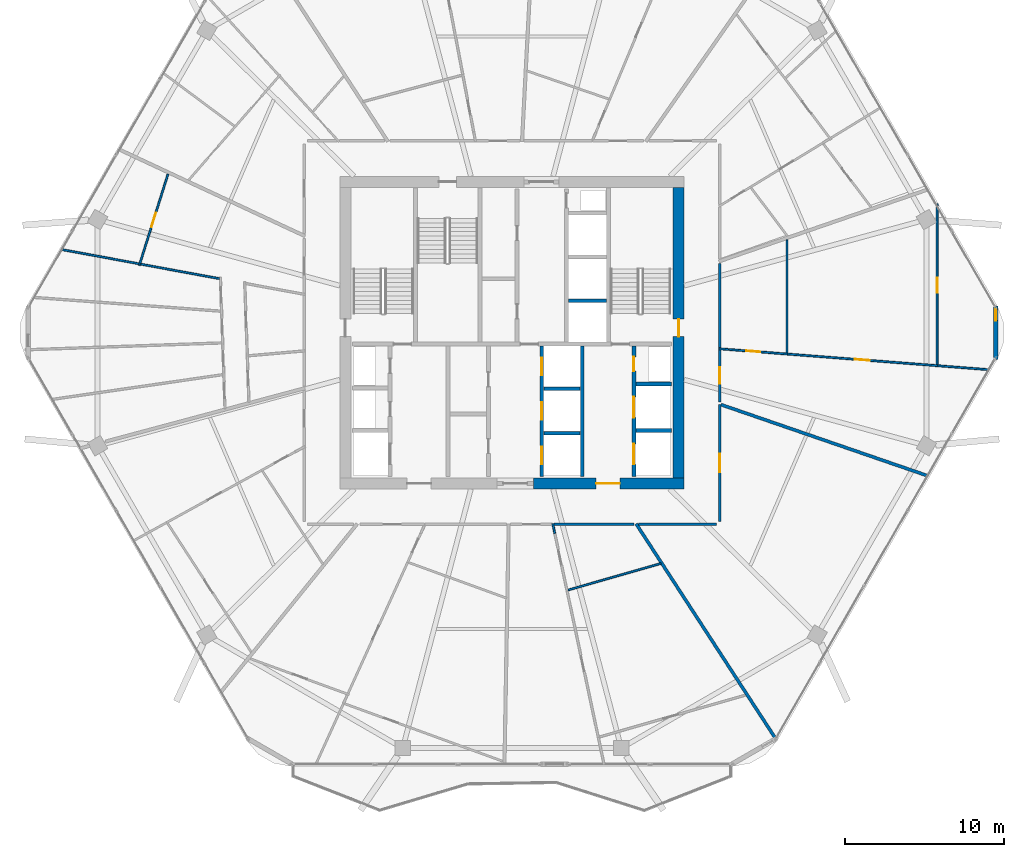
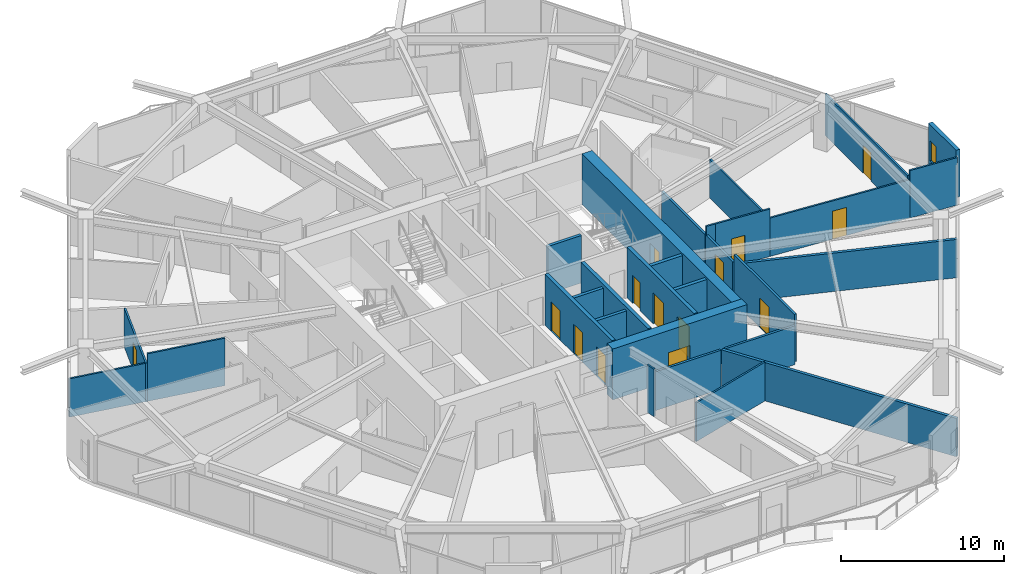
# One storey, part 21 of 27: 29 walls, 14 doors, 1 window, 15 openings.
"""IFC4 building model written with IfcOpenShell, lengths in metres."""

from ifc_helpers import new_model, si_unit, direction, frame, frame_2d, origin, place, context, subcontext, project, spatial, rectangle, extrude, material, layer, layer_set, type_object, element, fill, save


model = new_model("IFC4")

# Units and contexts
model_context = context("Model", 3, precision=1e-05, world=origin(), true_north=direction((0.0, 1.0)))
body_context = subcontext(model_context, "Body", "Model", "MODEL_VIEW")
ifc_project = project(units=[si_unit("LENGTHUNIT", "METRE"), si_unit("AREAUNIT", "SQUARE_METRE"), si_unit("VOLUMEUNIT", "CUBIC_METRE"), si_unit("PLANEANGLEUNIT", "RADIAN"), si_unit("MASSUNIT", "GRAM", prefix="KILO")], contexts=[model_context])

# Site, building, storey
site_placement = place(None, origin())
site = spatial("IfcSite", under=ifc_project, at=site_placement, CompositionType="ELEMENT")
building_placement = place(site_placement, origin())
building = spatial("IfcBuilding", under=site, at=building_placement, Name="Zuhravey Tower", CompositionType="ELEMENT")
storey_placement = place(building_placement, frame((0.0, 0.0, 218.800048828125)))
storey = spatial("IfcBuildingStorey", under=building, at=storey_placement, Name="L55", CompositionType="ELEMENT", Elevation=218.800048828125)

# Wall, opening, door
ifc_material_1 = material(Name="Concrete C60/75", Category="concrete")
ifc_layer_1 = layer(ifc_material_1, 0.699951171875)
ifc_layer_set_1 = layer_set([ifc_layer_1], Name="Concrete C60/75")
wall_type_1 = type_object("IfcWallType", Name="Core Shear Wall 700", PredefinedType="SHEAR", material=ifc_layer_set_1)
wall_1_placement = place(storey_placement, frame((37.35009765625, 22.5, 0.0), z_axis=(0.0, 0.0, 1.0), x_axis=(1.0, 0.0, 0.0)))
wall_1 = element("IfcWall", 1, at=wall_1_placement, inside=storey, type_object=wall_type_1, Name="L55 South-East Core Shear Wall CW70", PredefinedType="SHEAR", context=body_context, shape_type="SweptSolid", body=[
    extrude(rectangle(XDim=9.5, YDim=0.699951171875, at=frame_2d((4.75, 0.0))), origin(), (0.0, 0.0, 1.0), 3.800048828125),
])
opening_1_placement = place(wall_1_placement, frame((3.949951171875, 0.0, 0.0)))
opening_1 = element("IfcOpeningElement", 2, at=opening_1_placement, cuts=wall_1, Name="Opening FFD1", PredefinedType="OPENING", context=body_context, shape_type="SweptSolid", body=[
    extrude(rectangle(XDim=1.5, YDim=2.14990234375, at=frame_2d((0.75, 1.074951171875))), frame((0.0, 0.362060546875, 0.0), z_axis=(0.0, -1.0, 0.0), x_axis=(1.0, 0.0, 0.0)), (0.0, 0.0, 1.0), 0.723876953125),
])
ifc_material_2 = material(Name="Galvanised fire-rated steel leaf", Category="steel")
door_type_1 = type_object("IfcDoorType", Name="Firefighting Lobby Double Door 1500x2150", OperationType="DOUBLE_DOOR_SINGLE_SWING", PredefinedType="DOOR", material=ifc_material_2)
door_1_placement = place(opening_1_placement, origin())
door_1 = element("IfcDoor", 3, at=door_1_placement, inside=storey, type_object=door_type_1, Name="L55 Firefighting Lobby East Door", OperationType="DOUBLE_DOOR_SINGLE_SWING", OverallHeight=2.14990234375, OverallWidth=1.5, PredefinedType="DOOR", context=body_context, shape_type="SweptSolid", body=[
    extrude(rectangle(XDim=1.5, YDim=2.14990234375, at=frame_2d((0.75, 1.074951171875))), frame((0.0, 0.02490234375, 0.0), z_axis=(0.0, -1.0, 0.0), x_axis=(1.0, 0.0, 0.0)), (0.0, 0.0, 1.0), 0.050048828125),
])
fill(opening_1, door_1)

wall_2_placement = place(storey_placement, frame((46.5, 22.85009765625, 0.0), z_axis=(0.0, 0.0, 1.0), x_axis=(0.0, 1.0, 0.0)))
wall_2 = element("IfcWall", 4, at=wall_2_placement, inside=storey, type_object=wall_type_1, Name="L55 East Core Shear Wall CW70", PredefinedType="SHEAR", context=body_context, shape_type="SweptSolid", body=[
    extrude(rectangle(XDim=18.2998046875, YDim=0.699951171875, at=frame_2d((9.14990234375, 0.0))), origin(), (0.0, 0.0, 1.0), 3.800048828125),
])
opening_2_placement = place(wall_2_placement, frame((8.89990234375, 0.0, 0.0)))
opening_2 = element("IfcOpeningElement", 5, at=opening_2_placement, cuts=wall_2, Name="Opening STD1", PredefinedType="OPENING", context=body_context, shape_type="SweptSolid", body=[
    extrude(rectangle(XDim=1.10009765625, YDim=2.14990234375, at=frame_2d((0.550048828125, 1.074951171875))), frame((0.0, 0.362060546875, 0.0), z_axis=(0.0, -1.0, 0.0), x_axis=(1.0, 0.0, 0.0)), (0.0, 0.0, 1.0), 0.723876953125),
])
door_type_2 = type_object("IfcDoorType", Name="Protected Stair Fire Door 1100x2150", OperationType="NOTDEFINED", PredefinedType="USERDEFINED", material=ifc_material_2)
door_2_placement = place(opening_2_placement, origin())
door_2 = element("IfcDoor", 6, at=door_2_placement, inside=storey, type_object=door_type_2, Name="L55 Stair ST2 Door", ObjectType="EXITDOOR", OperationType="SINGLE_SWING_RIGHT", OverallHeight=2.14990234375, OverallWidth=1.10009765625, PredefinedType="USERDEFINED", context=body_context, shape_type="SweptSolid", body=[
    extrude(rectangle(XDim=1.10009765625, YDim=2.14990234375, at=frame_2d((0.550048828125, 1.074951171875))), frame((0.0, 0.02490234375, 0.0), z_axis=(0.0, -1.0, 0.0), x_axis=(1.0, 0.0, 0.0)), (0.0, 0.0, 1.0), 0.050048828125),
])
fill(opening_2, door_2)

ifc_material_3 = material(Name="Gypsum fire-rated stud partition")
ifc_layer_2 = layer(ifc_material_3, 0.159912109375)
ifc_layer_set_2 = layer_set([ifc_layer_2], Name="Gypsum fire-rated stud partition")
wall_type_2 = type_object("IfcWallType", Name="Corridor Fire Partition 160", PredefinedType="PARTITIONING", material=ifc_layer_set_2)
wall_3_placement = place(storey_placement, frame((49.080078125, 20.10009765625, 0.0), z_axis=(0.0, 0.0, 1.0), x_axis=(0.0, 1.0, 0.0)))
wall_3 = element("IfcWall", 7, at=wall_3_placement, inside=storey, type_object=wall_type_2, Name="L55 IW16 Partition 058", PredefinedType="PARTITIONING", context=body_context, shape_type="SweptSolid", body=[
    extrude(rectangle(XDim=7.375, YDim=0.159912109375, at=frame_2d((3.6875, 0.0))), origin(), (0.0, 0.0, 1.0), 3.550048828125),
])
opening_3_placement = place(wall_3_placement, frame((3.112548828125, 0.0, 0.0)))
opening_3 = element("IfcOpeningElement", 8, at=opening_3_placement, cuts=wall_3, Name="Opening CLD1", PredefinedType="OPENING", context=body_context, shape_type="SweptSolid", body=[
    extrude(rectangle(XDim=1.14990234375, YDim=2.199951171875, at=frame_2d((0.574951171875, 1.10009765625))), frame((0.0, 0.092041015625, 0.0), z_axis=(0.0, -1.0, 0.0), x_axis=(1.0, 0.0, 0.0)), (0.0, 0.0, 1.0), 0.183837890625),
])
ifc_material_4 = material(Name="Acoustic timber leaf with vision lite", Category="wood")
door_type_3 = type_object("IfcDoorType", Name="Classroom Acoustic Door 1150x2200", OperationType="NOTDEFINED", PredefinedType="DOOR", material=ifc_material_4)
door_3_placement = place(opening_3_placement, frame((1.14990234375, 0.0, 0.0), z_axis=(0.0, 0.0, 1.0), x_axis=(-1.0, 0.0, 0.0)))
door_3 = element("IfcDoor", 9, at=door_3_placement, inside=storey, type_object=door_type_3, Name="L55 Door 058.1", OperationType="SINGLE_SWING_RIGHT", OverallHeight=2.199951171875, OverallWidth=1.14990234375, PredefinedType="DOOR", context=body_context, shape_type="SweptSolid", body=[
    extrude(rectangle(XDim=1.14990234375, YDim=2.199951171875, at=frame_2d((0.574951171875, 1.10009765625))), frame((0.0, 0.02490234375, 0.0), z_axis=(0.0, -1.0, 0.0), x_axis=(1.0, 0.0, 0.0)), (0.0, 0.0, 1.0), 0.050048828125),
])
fill(opening_3, door_3)

wall_4_placement = place(storey_placement, frame((49.080078125, 27.64453125, 0.0), z_axis=(0.0, 0.0, 1.0), x_axis=(0.0, 1.0, 0.0)))
wall_4 = element("IfcWall", 10, at=wall_4_placement, inside=storey, type_object=wall_type_2, Name="L55 IW16 Partition 062", PredefinedType="PARTITIONING", context=body_context, shape_type="SweptSolid", body=[
    extrude(rectangle(XDim=3.31982421875, YDim=0.159912109375, at=frame_2d((1.659912109375, 0.0))), origin(), (0.0, 0.0, 1.0), 2.89990234375),
])
opening_4_placement = place(wall_4_placement, frame((1.135009765625, 0.0, 0.0)))
opening_4 = element("IfcOpeningElement", 11, at=opening_4_placement, cuts=wall_4, Name="Opening APD1", PredefinedType="OPENING", context=body_context, shape_type="SweptSolid", body=[
    extrude(rectangle(XDim=1.050048828125, YDim=2.14990234375, at=frame_2d((0.52490234375, 1.074951171875))), frame((0.0, 0.092041015625, 0.0), z_axis=(0.0, -1.0, 0.0), x_axis=(1.0, 0.0, 0.0)), (0.0, 0.0, 1.0), 0.183837890625),
])
ifc_material_5 = material(Name="Solid-core oak fire-rated leaf")
door_type_4 = type_object("IfcDoorType", Name="Apartment Entrance Fire Door 1050x2150", OperationType="NOTDEFINED", PredefinedType="DOOR", material=ifc_material_5)
door_4_placement = place(opening_4_placement, frame((1.050048828125, 0.0, 0.0), z_axis=(0.0, 0.0, 1.0), x_axis=(-1.0, 0.0, 0.0)))
door_4 = element("IfcDoor", 12, at=door_4_placement, inside=storey, type_object=door_type_4, Name="L55 Door 062.1", OperationType="SINGLE_SWING_RIGHT", OverallHeight=2.14990234375, OverallWidth=1.050048828125, PredefinedType="DOOR", context=body_context, shape_type="SweptSolid", body=[
    extrude(rectangle(XDim=1.050048828125, YDim=2.14990234375, at=frame_2d((0.52490234375, 1.074951171875))), frame((0.0, 0.02490234375, 0.0), z_axis=(0.0, -1.0, 0.0), x_axis=(1.0, 0.0, 0.0)), (0.0, 0.0, 1.0), 0.050048828125),
])
fill(opening_4, door_4)

# Walls
wall_5_placement = place(storey_placement, frame((38.64599609375, 19.919921875, 0.0), z_axis=(0.0, 0.0, 1.0), x_axis=(1.0, 0.0, 0.0)))
element("IfcWall", 13, at=wall_5_placement, inside=storey, type_object=wall_type_2, Name="L55 IW16 Partition 124", PredefinedType="PARTITIONING", context=body_context, shape_type="SweptSolid", body=[
    extrude(rectangle(XDim=5.026123046875, YDim=0.159912109375, at=frame_2d((2.51318359375, 0.0))), origin(), (0.0, 0.0, 1.0), 2.89990234375),
])
wall_6_placement = place(storey_placement, frame((43.9736328125, 19.919921875, 0.0), z_axis=(0.0, 0.0, 1.0), x_axis=(1.0, 0.0, 0.0)))
element("IfcWall", 14, at=wall_6_placement, inside=storey, type_object=wall_type_2, Name="L55 IW16 Partition 125", PredefinedType="PARTITIONING", context=body_context, shape_type="SweptSolid", body=[
    extrude(rectangle(XDim=4.92626953125, YDim=0.159912109375, at=frame_2d((2.463134765625, 0.0))), origin(), (0.0, 0.0, 1.0), 2.89990234375),
])
wall_7_placement = place(storey_placement, frame((49.080078125, 31.052490234375, 0.0), z_axis=(0.0, 0.0, 1.0), x_axis=(0.0, 1.0, 0.0)))
element("IfcWall", 15, at=wall_7_placement, inside=storey, type_object=wall_type_2, Name="L55 IW16 Partition 126", PredefinedType="PARTITIONING", context=body_context, shape_type="SweptSolid", body=[
    extrude(rectangle(XDim=5.302978515625, YDim=0.159912109375, at=frame_2d((2.6513671875, 0.0))), origin(), (0.0, 0.0, 1.0), 2.89990234375),
])

# Wall, opening, window
ifc_material_6 = material(Name="Precast concrete C40/50", Category="concrete")
ifc_layer_3 = layer(ifc_material_6, 0.280029296875)
ifc_layer_set_3 = layer_set([ifc_layer_3], Name="Precast concrete C40/50")
wall_type_3 = type_object("IfcWallType", Name="Crown Architectural Wall 280", PredefinedType="SOLIDWALL", material=ifc_layer_set_3)
wall_8_placement = place(storey_placement, frame((66.4716796875, 33.6826171875, 0.0), z_axis=(0.0, 0.0, 1.0), x_axis=(0.0, -1.0, 0.0)))
wall_8 = element("IfcWall", 16, at=wall_8_placement, inside=storey, type_object=wall_type_3, Name="L55 Rounded Corner Closure Wall EW28-12", PredefinedType="SOLIDWALL", context=body_context, shape_type="SweptSolid", body=[
    extrude(rectangle(XDim=3.365234375, YDim=0.280029296875, at=frame_2d((1.6826171875, 0.0))), origin(), (0.0, 0.0, 1.0), 3.550048828125),
])
opening_5_placement = place(wall_8_placement, frame((0.17919921875, 0.0, 0.85009765625)))
opening_5 = element("IfcOpeningElement", 17, at=opening_5_placement, cuts=wall_8, Name="Opening WN5", PredefinedType="OPENING", context=body_context, shape_type="SweptSolid", body=[
    extrude(rectangle(XDim=0.75, YDim=1.5, at=frame_2d((0.375, 0.75))), frame((0.0, 0.152099609375, 0.0), z_axis=(0.0, -1.0, 0.0), x_axis=(1.0, 0.0, 0.0)), (0.0, 0.0, 1.0), 0.303955078125),
])
ifc_material_7 = material(Name="Thermally broken aluminium and triple low-E glass", Category="aluminium")
window_type = type_object("IfcWindowType", Name="Residential Corner Casement Window 750x1500", PartitioningType="SINGLE_PANEL", PredefinedType="WINDOW", material=ifc_material_7)
window_placement = place(opening_5_placement, origin())
window = element("IfcWindow", 18, at=window_placement, inside=storey, type_object=window_type, Name="L55 Corner Casement Window WN5-12.1", OverallHeight=1.5, OverallWidth=0.75, PartitioningType="SINGLE_PANEL", PredefinedType="WINDOW", context=body_context, shape_type="SweptSolid", body=[
    extrude(rectangle(XDim=0.75, YDim=1.5, at=frame_2d((0.375, 0.75))), frame((0.0, 0.030029296875, 0.0), z_axis=(0.0, -1.0, 0.0), x_axis=(1.0, 0.0, 0.0)), (0.0, 0.0, 1.0), 0.06005859375),
])
fill(opening_5, window)

# Wall, openings, doors
ifc_material_8 = material(Name="Concrete C50/60", Category="concrete")
ifc_layer_4 = layer(ifc_material_8, 0.25)
ifc_layer_set_4 = layer_set([ifc_layer_4], Name="Concrete C50/60")
wall_type_4 = type_object("IfcWallType", Name="Firefighting Shaft & Stair Wall 250", PredefinedType="SOLIDWALL", material=ifc_layer_set_4)
wall_9_placement = place(storey_placement, frame((37.875, 22.949951171875, 0.0), z_axis=(0.0, 0.0, 1.0), x_axis=(0.0, 1.0, 0.0)))
wall_9 = element("IfcWall", 19, at=wall_9_placement, inside=storey, type_object=wall_type_4, Name="L55 FW25 Shaft Wall 015", PredefinedType="SOLIDWALL", context=body_context, shape_type="SweptSolid", body=[
    extrude(rectangle(XDim=8.199951171875, YDim=0.25, at=frame_2d((4.10009765625, 0.0))), origin(), (0.0, 0.0, 1.0), 3.800048828125),
])
opening_6_placement = place(wall_9_placement, frame((0.77490234375, 0.0, 0.0)))
opening_6 = element("IfcOpeningElement", 20, at=opening_6_placement, cuts=wall_9, Name="Opening LD1", PredefinedType="OPENING", context=body_context, shape_type="SweptSolid", body=[
    extrude(rectangle(XDim=1.10009765625, YDim=2.199951171875, at=frame_2d((0.550048828125, 1.10009765625))), frame((0.0, 0.136962890625, 0.0), z_axis=(0.0, -1.0, 0.0), x_axis=(1.0, 0.0, 0.0)), (0.0, 0.0, 1.0), 0.27392578125),
])
opening_7_placement = place(wall_9_placement, frame((3.574951171875, 0.0, 0.0)))
opening_7 = element("IfcOpeningElement", 21, at=opening_7_placement, cuts=wall_9, Name="Opening LD1", PredefinedType="OPENING", context=body_context, shape_type="SweptSolid", body=[
    extrude(rectangle(XDim=1.10009765625, YDim=2.199951171875, at=frame_2d((0.550048828125, 1.10009765625))), frame((0.0, 0.136962890625, 0.0), z_axis=(0.0, -1.0, 0.0), x_axis=(1.0, 0.0, 0.0)), (0.0, 0.0, 1.0), 0.27392578125),
])
opening_8_placement = place(wall_9_placement, frame((6.375, 0.0, 0.0)))
opening_8 = element("IfcOpeningElement", 22, at=opening_8_placement, cuts=wall_9, Name="Opening LD1", PredefinedType="OPENING", context=body_context, shape_type="SweptSolid", body=[
    extrude(rectangle(XDim=1.10009765625, YDim=2.199951171875, at=frame_2d((0.550048828125, 1.10009765625))), frame((0.0, 0.136962890625, 0.0), z_axis=(0.0, -1.0, 0.0), x_axis=(1.0, 0.0, 0.0)), (0.0, 0.0, 1.0), 0.27392578125),
])
ifc_material_9 = material(Name="Brushed stainless steel", Category="steel")
door_type_5 = type_object("IfcDoorType", Name="Lift Landing Sliding Door 1100x2200", OperationType="DOUBLE_DOOR_SLIDING", PredefinedType="DOOR", material=ifc_material_9)
door_5_placement = place(opening_6_placement, origin())
door_5 = element("IfcDoor", 23, at=door_5_placement, inside=storey, type_object=door_type_5, Name="L55 Lift PL4 Landing Door", OperationType="DOUBLE_DOOR_SLIDING", OverallHeight=2.199951171875, OverallWidth=1.10009765625, PredefinedType="DOOR", context=body_context, shape_type="SweptSolid", body=[
    extrude(rectangle(XDim=1.10009765625, YDim=2.199951171875, at=frame_2d((0.550048828125, 1.10009765625))), frame((0.0, 0.02490234375, 0.0), z_axis=(0.0, -1.0, 0.0), x_axis=(1.0, 0.0, 0.0)), (0.0, 0.0, 1.0), 0.050048828125),
])
fill(opening_6, door_5)
door_6_placement = place(opening_7_placement, origin())
door_6 = element("IfcDoor", 24, at=door_6_placement, inside=storey, type_object=door_type_5, Name="L55 Lift PL5 Landing Door", OperationType="DOUBLE_DOOR_SLIDING", OverallHeight=2.199951171875, OverallWidth=1.10009765625, PredefinedType="DOOR", context=body_context, shape_type="SweptSolid", body=[
    extrude(rectangle(XDim=1.10009765625, YDim=2.199951171875, at=frame_2d((0.550048828125, 1.10009765625))), frame((0.0, 0.02490234375, 0.0), z_axis=(0.0, -1.0, 0.0), x_axis=(1.0, 0.0, 0.0)), (0.0, 0.0, 1.0), 0.050048828125),
])
fill(opening_7, door_6)
door_7_placement = place(opening_8_placement, origin())
door_7 = element("IfcDoor", 25, at=door_7_placement, inside=storey, type_object=door_type_5, Name="L55 Lift PL6 Landing Door", OperationType="DOUBLE_DOOR_SLIDING", OverallHeight=2.199951171875, OverallWidth=1.10009765625, PredefinedType="DOOR", context=body_context, shape_type="SweptSolid", body=[
    extrude(rectangle(XDim=1.10009765625, YDim=2.199951171875, at=frame_2d((0.550048828125, 1.10009765625))), frame((0.0, 0.02490234375, 0.0), z_axis=(0.0, -1.0, 0.0), x_axis=(1.0, 0.0, 0.0)), (0.0, 0.0, 1.0), 0.050048828125),
])
fill(opening_8, door_7)

# Walls
wall_10_placement = place(storey_placement, frame((40.425048828125, 22.949951171875, 0.0), z_axis=(0.0, 0.0, 1.0), x_axis=(0.0, 1.0, 0.0)))
element("IfcWall", 26, at=wall_10_placement, inside=storey, type_object=wall_type_4, Name="L55 FW25 Shaft Wall 016", PredefinedType="SOLIDWALL", context=body_context, shape_type="SweptSolid", body=[
    extrude(rectangle(XDim=8.199951171875, YDim=0.25, at=frame_2d((4.10009765625, 0.0))), origin(), (0.0, 0.0, 1.0), 3.800048828125),
])
for number, where, z_axis, x_axis, name in (
    (27, (43.800048828125, 25.824951171875, 0.0), (0.0, 0.0, 1.0), (1.0, 0.0, 0.0), "L55 FW25 Shaft Wall 017"),
    (28, (43.800048828125, 28.77490234375, 0.0), (0.0, 0.0, 1.0), (1.0, 0.0, 0.0), "L55 FW25 Shaft Wall 018"),
):
    element("IfcWall", number, at=place(storey_placement, frame(where, z_axis=z_axis, x_axis=x_axis)), inside=storey, type_object=wall_type_4, Name=name, PredefinedType="SOLIDWALL", context=body_context, shape_type="SweptSolid", body=[
        extrude(rectangle(XDim=2.25, YDim=0.25, at=frame_2d((1.125, 0.0))), origin(), (0.0, 0.0, 1.0), 3.800048828125),
    ])

# Wall, openings, doors
wall_11_placement = place(storey_placement, frame((43.675048828125, 22.949951171875, 0.0), z_axis=(0.0, 0.0, 1.0), x_axis=(0.0, 1.0, 0.0)))
wall_11 = element("IfcWall", 29, at=wall_11_placement, inside=storey, type_object=wall_type_4, Name="L55 FW25 Shaft Wall 019", PredefinedType="SOLIDWALL", context=body_context, shape_type="SweptSolid", body=[
    extrude(rectangle(XDim=8.199951171875, YDim=0.25, at=frame_2d((4.10009765625, 0.0))), origin(), (0.0, 0.0, 1.0), 3.800048828125),
])
opening_9_placement = place(wall_11_placement, frame((0.75, 0.0, 0.0)))
opening_9 = element("IfcOpeningElement", 30, at=opening_9_placement, cuts=wall_11, Name="Opening LD2", PredefinedType="OPENING", context=body_context, shape_type="SweptSolid", body=[
    extrude(rectangle(XDim=1.300048828125, YDim=2.300048828125, at=frame_2d((0.64990234375, 1.14990234375))), frame((0.0, 0.136962890625, 0.0), z_axis=(0.0, -1.0, 0.0), x_axis=(1.0, 0.0, 0.0)), (0.0, 0.0, 1.0), 0.27392578125),
])
opening_10_placement = place(wall_11_placement, frame((3.699951171875, 0.0, 0.0)))
opening_10 = element("IfcOpeningElement", 31, at=opening_10_placement, cuts=wall_11, Name="Opening LD2", PredefinedType="OPENING", context=body_context, shape_type="SweptSolid", body=[
    extrude(rectangle(XDim=1.300048828125, YDim=2.300048828125, at=frame_2d((0.64990234375, 1.14990234375))), frame((0.0, 0.136962890625, 0.0), z_axis=(0.0, -1.0, 0.0), x_axis=(1.0, 0.0, 0.0)), (0.0, 0.0, 1.0), 0.27392578125),
])
opening_11_placement = place(wall_11_placement, frame((6.6201171875, 0.0, 0.0)))
opening_11 = element("IfcOpeningElement", 32, at=opening_11_placement, cuts=wall_11, Name="Opening RSD1", PredefinedType="OPENING", context=body_context, shape_type="SweptSolid", body=[
    extrude(rectangle(XDim=0.89990234375, YDim=2.10009765625, at=frame_2d((0.449951171875, 1.050048828125))), frame((0.0, 0.136962890625, 0.0), z_axis=(0.0, -1.0, 0.0), x_axis=(1.0, 0.0, 0.0)), (0.0, 0.0, 1.0), 0.27392578125),
])
door_type_6 = type_object("IfcDoorType", Name="Freight & Stretcher Lift Sliding Door 1300x2300", OperationType="DOUBLE_DOOR_SLIDING", PredefinedType="DOOR", material=ifc_material_9)
door_8_placement = place(opening_9_placement, origin())
door_8 = element("IfcDoor", 33, at=door_8_placement, inside=storey, type_object=door_type_6, Name="L55 Lift FF2 Landing Door", OperationType="DOUBLE_DOOR_SLIDING", OverallHeight=2.300048828125, OverallWidth=1.300048828125, PredefinedType="DOOR", context=body_context, shape_type="SweptSolid", body=[
    extrude(rectangle(XDim=1.300048828125, YDim=2.300048828125, at=frame_2d((0.64990234375, 1.14990234375))), frame((0.0, 0.02490234375, 0.0), z_axis=(0.0, -1.0, 0.0), x_axis=(1.0, 0.0, 0.0)), (0.0, 0.0, 1.0), 0.050048828125),
])
fill(opening_9, door_8)
door_9_placement = place(opening_10_placement, origin())
door_9 = element("IfcDoor", 34, at=door_9_placement, inside=storey, type_object=door_type_6, Name="L55 Lift SV1 Landing Door", OperationType="DOUBLE_DOOR_SLIDING", OverallHeight=2.300048828125, OverallWidth=1.300048828125, PredefinedType="DOOR", context=body_context, shape_type="SweptSolid", body=[
    extrude(rectangle(XDim=1.300048828125, YDim=2.300048828125, at=frame_2d((0.64990234375, 1.14990234375))), frame((0.0, 0.02490234375, 0.0), z_axis=(0.0, -1.0, 0.0), x_axis=(1.0, 0.0, 0.0)), (0.0, 0.0, 1.0), 0.050048828125),
])
fill(opening_10, door_9)
ifc_material_10 = material(Name="Galvanised fire-rated steel access leaf", Category="steel")
door_type_7 = type_object("IfcDoorType", Name="Riser & Shaft Access Fire Door 900x2100", OperationType="NOTDEFINED", PredefinedType="DOOR", material=ifc_material_10)
door_10_placement = place(opening_11_placement, origin())
door_10 = element("IfcDoor", 35, at=door_10_placement, inside=storey, type_object=door_type_7, Name="L55 Plumbing Riser Door", OperationType="SINGLE_SWING_RIGHT", OverallHeight=2.10009765625, OverallWidth=0.89990234375, PredefinedType="DOOR", context=body_context, shape_type="SweptSolid", body=[
    extrude(rectangle(XDim=0.89990234375, YDim=2.10009765625, at=frame_2d((0.449951171875, 1.050048828125))), frame((0.0, 0.02490234375, 0.0), z_axis=(0.0, -1.0, 0.0), x_axis=(1.0, 0.0, 0.0)), (0.0, 0.0, 1.0), 0.050048828125),
])
fill(opening_11, door_10)

# Walls
ifc_material_11 = material(Name="Gypsum double-stud party assembly")
ifc_layer_5 = layer(ifc_material_11, 0.199951171875)
ifc_layer_set_5 = layer_set([ifc_layer_5], Name="Gypsum double-stud party assembly")
wall_type_5 = type_object("IfcWallType", Name="Inter-Tenancy Party Wall 200", PredefinedType="PARTITIONING", material=ifc_layer_set_5)
wall_12_placement = place(storey_placement, frame((43.81884765625, 19.9599609375, 0.0), z_axis=(0.0, 0.0, 1.0), x_axis=(0.54463871909, -0.838670773109, 0.0)))
element("IfcWall", 36, at=wall_12_placement, inside=storey, type_object=wall_type_5, Name="L55 IW20 Partition 108", PredefinedType="PARTITIONING", context=body_context, shape_type="SweptSolid", body=[
    extrude(rectangle(XDim=16.152099609375, YDim=0.199951171875, at=frame_2d((8.076171875, 0.0))), origin(), (0.0, 0.0, 1.0), 2.869873046875),
])
wall_13_placement = place(storey_placement, frame((49.16796875, 27.4658203125, 0.0), z_axis=(0.0, 0.0, 1.0), x_axis=(0.945519149225, -0.325566488523, 0.0)))
element("IfcWall", 37, at=wall_13_placement, inside=storey, type_object=wall_type_5, Name="L55 IW20 Partition 109", PredefinedType="PARTITIONING", context=body_context, shape_type="SweptSolid", body=[
    extrude(rectangle(XDim=13.76513671875, YDim=0.199951171875, at=frame_2d((6.882568359375, 0.0))), origin(), (0.0, 0.0, 1.0), 2.869873046875),
])
ifc_material_12 = material(Name="Gypsum acoustic stud assembly")
ifc_layer_6 = layer(ifc_material_12, 0.219970703125)
ifc_layer_set_6 = layer_set([ifc_layer_6], Name="Gypsum acoustic stud assembly")
wall_type_6 = type_object("IfcWallType", Name="School Acoustic Compartment Wall 220", PredefinedType="PARTITIONING", material=ifc_layer_set_6)
wall_14_placement = place(storey_placement, frame((39.55810546875, 34.02490234375, 0.0), z_axis=(0.0, 0.0, 1.0), x_axis=(1.0, 0.0, 0.0)))
element("IfcWall", 38, at=wall_14_placement, inside=storey, type_object=wall_type_6, Name="L55 IW22 Partition 064", PredefinedType="PARTITIONING", context=body_context, shape_type="SweptSolid", body=[
    extrude(rectangle(XDim=2.3837890625, YDim=0.219970703125, at=frame_2d((1.19189453125, 0.0))), origin(), (0.0, 0.0, 1.0), 3.550048828125),
])
for number, where, z_axis, x_axis, name in (
    (39, (38.008056640625, 25.675048828125, 0.0), (0.0, 0.0, 1.0), (1.0, 0.0, 0.0), "L55 IW22 Partition 067"),
    (40, (38.008056640625, 28.47509765625, 0.0), (0.0, 0.0, 1.0), (1.0, 0.0, 0.0), "L55 IW22 Partition 068"),
):
    element("IfcWall", number, at=place(storey_placement, frame(where, z_axis=z_axis, x_axis=x_axis)), inside=storey, type_object=wall_type_6, Name=name, PredefinedType="PARTITIONING", context=body_context, shape_type="SweptSolid", body=[
        extrude(rectangle(XDim=2.283935546875, YDim=0.219970703125, at=frame_2d((1.14208984375, 0.0))), origin(), (0.0, 0.0, 1.0), 3.550048828125),
    ])

# Wall, opening, door
ifc_material_13 = material(Name="Gypsum metal-stud partition")
ifc_layer_7 = layer(ifc_material_13, 0.1201171875)
ifc_layer_set_7 = layer_set([ifc_layer_7], Name="Gypsum metal-stud partition")
wall_type_7 = type_object("IfcWallType", Name="Unit Internal Partition 120", PredefinedType="PARTITIONING", material=ifc_layer_set_7)
wall_15_placement = place(storey_placement, frame((14.328125, 41.986328125, 0.0), z_axis=(0.0, 0.0, 1.0), x_axis=(-0.300371813261, -0.95382219192, 0.0)))
wall_15 = element("IfcWall", 41, at=wall_15_placement, inside=storey, type_object=wall_type_7, Name="L55 IW12 Partition 040", PredefinedType="PARTITIONING", context=body_context, shape_type="SweptSolid", body=[
    extrude(rectangle(XDim=6.031005859375, YDim=0.1201171875, at=frame_2d((3.015625, 0.0))), origin(), (0.0, 0.0, 1.0), 2.89990234375),
])
opening_12_placement = place(wall_15_placement, frame((2.54052734375, 0.0, 0.0)))
opening_12 = element("IfcOpeningElement", 42, at=opening_12_placement, cuts=wall_15, Name="Opening IND1", PredefinedType="OPENING", context=body_context, shape_type="SweptSolid", body=[
    extrude(rectangle(XDim=0.949951171875, YDim=2.10009765625, at=frame_2d((0.47509765625, 1.050048828125))), frame((0.0, 0.072021484375, 0.0), z_axis=(0.0, -1.0, 0.0), x_axis=(1.0, 0.0, 0.0)), (0.0, 0.0, 1.0), 0.14404296875),
])
ifc_material_14 = material(Name="Painted engineered timber leaf", Category="wood")
door_type_8 = type_object("IfcDoorType", Name="Internal Room & Bedroom Door 950x2100", OperationType="NOTDEFINED", PredefinedType="DOOR", material=ifc_material_14)
door_11_placement = place(opening_12_placement, frame((0.949951171875, 0.0, 0.0), z_axis=(0.0, 0.0, 1.0), x_axis=(-1.0, 0.0, 0.0)))
door_11 = element("IfcDoor", 43, at=door_11_placement, inside=storey, type_object=door_type_8, Name="Apartment L55-05 Family Study Door", OperationType="SINGLE_SWING_LEFT", OverallHeight=2.10009765625, OverallWidth=0.949951171875, PredefinedType="DOOR", context=body_context, shape_type="SweptSolid", body=[
    extrude(rectangle(XDim=0.949951171875, YDim=2.10009765625, at=frame_2d((0.47509765625, 1.050048828125))), frame((0.0, 0.02490234375, 0.0), z_axis=(0.0, -1.0, 0.0), x_axis=(1.0, 0.0, 0.0)), (0.0, 0.0, 1.0), 0.050048828125),
])
fill(opening_12, door_11)

wall_16_placement = place(storey_placement, frame((49.64990234375, 30.940185546875, 0.0), z_axis=(0.0, 0.0, 1.0), x_axis=(0.996995398774, -0.077460795393, 0.0)))
wall_16 = element("IfcWall", 44, at=wall_16_placement, inside=storey, type_object=wall_type_7, Name="L55 IW12 Partition 059", PredefinedType="PARTITIONING", context=body_context, shape_type="SweptSolid", body=[
    extrude(rectangle(XDim=3.712890625, YDim=0.1201171875, at=frame_2d((1.8564453125, 0.0))), origin(), (0.0, 0.0, 1.0), 3.550048828125),
])
opening_13_placement = place(wall_16_placement, frame((1.109375, 0.0, 0.0)))
opening_13 = element("IfcOpeningElement", 45, at=opening_13_placement, cuts=wall_16, Name="Opening WCD1", PredefinedType="OPENING", context=body_context, shape_type="SweptSolid", body=[
    extrude(rectangle(XDim=0.89990234375, YDim=2.10009765625, at=frame_2d((0.449951171875, 1.050048828125))), frame((0.0, 0.072021484375, 0.0), z_axis=(0.0, -1.0, 0.0), x_axis=(1.0, 0.0, 0.0)), (0.0, 0.0, 1.0), 0.14404296875),
])
ifc_material_15 = material(Name="Moisture-resistant timber leaf", Category="wood")
door_type_9 = type_object("IfcDoorType", Name="Bathroom & WC Internal Door 900x2100", OperationType="NOTDEFINED", PredefinedType="DOOR", material=ifc_material_15)
door_12_placement = place(opening_13_placement, origin())
door_12 = element("IfcDoor", 46, at=door_12_placement, inside=storey, type_object=door_type_9, Name="Apartment L55-10 Bathroom Door", OperationType="SINGLE_SWING_LEFT", OverallHeight=2.10009765625, OverallWidth=0.89990234375, PredefinedType="DOOR", context=body_context, shape_type="SweptSolid", body=[
    extrude(rectangle(XDim=0.89990234375, YDim=2.10009765625, at=frame_2d((0.449951171875, 1.050048828125))), frame((0.0, 0.02490234375, 0.0), z_axis=(0.0, -1.0, 0.0), x_axis=(1.0, 0.0, 0.0)), (0.0, 0.0, 1.0), 0.050048828125),
])
fill(opening_13, door_12)

wall_17_placement = place(storey_placement, frame((53.3515625, 30.652587890625, 0.0), z_axis=(0.0, 0.0, 1.0), x_axis=(0.996998969354, -0.077414824849, 0.0)))
wall_17 = element("IfcWall", 47, at=wall_17_placement, inside=storey, type_object=wall_type_7, Name="L55 IW12 Partition 060", PredefinedType="PARTITIONING", context=body_context, shape_type="SweptSolid", body=[
    extrude(rectangle(XDim=9.486328125, YDim=0.1201171875, at=frame_2d((4.7431640625, 0.0))), origin(), (0.0, 0.0, 1.0), 2.869873046875),
])
opening_14_placement = place(wall_17_placement, frame((4.2431640625, 0.0, 0.0)))
opening_14 = element("IfcOpeningElement", 48, at=opening_14_placement, cuts=wall_17, Name="Opening IND1", PredefinedType="OPENING", context=body_context, shape_type="SweptSolid", body=[
    extrude(rectangle(XDim=0.949951171875, YDim=2.10009765625, at=frame_2d((0.47509765625, 1.050048828125))), frame((0.0, 0.072021484375, 0.0), z_axis=(0.0, -1.0, 0.0), x_axis=(1.0, 0.0, 0.0)), (0.0, 0.0, 1.0), 0.14404296875),
])
door_13_placement = place(opening_14_placement, origin())
door_13 = element("IfcDoor", 49, at=door_13_placement, inside=storey, type_object=door_type_8, Name="Apartment L55-10 Home Office Door", OperationType="SINGLE_SWING_RIGHT", OverallHeight=2.10009765625, OverallWidth=0.949951171875, PredefinedType="DOOR", context=body_context, shape_type="SweptSolid", body=[
    extrude(rectangle(XDim=0.949951171875, YDim=2.10009765625, at=frame_2d((0.47509765625, 1.050048828125))), frame((0.0, 0.02490234375, 0.0), z_axis=(0.0, -1.0, 0.0), x_axis=(1.0, 0.0, 0.0)), (0.0, 0.0, 1.0), 0.050048828125),
])
fill(opening_14, door_13)

wall_18_placement = place(storey_placement, frame((62.784423828125, 29.98828125, 0.0), z_axis=(0.0, 0.0, 1.0), x_axis=(0.0, 1.0, 0.0)))
wall_18 = element("IfcWall", 50, at=wall_18_placement, inside=storey, type_object=wall_type_7, Name="L55 IW12 Partition 061", PredefinedType="PARTITIONING", context=body_context, shape_type="SweptSolid", body=[
    extrude(rectangle(XDim=10.145751953125, YDim=0.1201171875, at=frame_2d((5.07275390625, 0.0))), origin(), (0.0, 0.0, 1.0), 3.1220703125),
])
opening_15_placement = place(wall_18_placement, frame((4.513671875, 0.0, 0.0)))
opening_15 = element("IfcOpeningElement", 51, at=opening_15_placement, cuts=wall_18, Name="Opening IND1", PredefinedType="OPENING", context=body_context, shape_type="SweptSolid", body=[
    extrude(rectangle(XDim=0.949951171875, YDim=2.10009765625, at=frame_2d((0.47509765625, 1.050048828125))), frame((0.0, 0.072021484375, 0.0), z_axis=(0.0, -1.0, 0.0), x_axis=(1.0, 0.0, 0.0)), (0.0, 0.0, 1.0), 0.14404296875),
])
door_14_placement = place(opening_15_placement, frame((0.949951171875, 0.0, 0.0), z_axis=(0.0, 0.0, 1.0), x_axis=(-1.0, 0.0, 0.0)))
door_14 = element("IfcDoor", 52, at=door_14_placement, inside=storey, type_object=door_type_8, Name="Apartment L55-10 Bedroom 1 Door", OperationType="SINGLE_SWING_LEFT", OverallHeight=2.10009765625, OverallWidth=0.949951171875, PredefinedType="DOOR", context=body_context, shape_type="SweptSolid", body=[
    extrude(rectangle(XDim=0.949951171875, YDim=2.10009765625, at=frame_2d((0.47509765625, 1.050048828125))), frame((0.0, 0.02490234375, 0.0), z_axis=(0.0, -1.0, 0.0), x_axis=(1.0, 0.0, 0.0)), (0.0, 0.0, 1.0), 0.050048828125),
])
fill(opening_15, door_14)

# Walls
wall_19_placement = place(storey_placement, frame((17.563720703125, 35.403564453125, 0.0), z_axis=(0.0, 0.0, 1.0), x_axis=(-0.983379648919, 0.181561191038, 0.0)))
element("IfcWall", 53, at=wall_19_placement, inside=storey, type_object=wall_type_7, Name="L55 IW12 Partition 093", PredefinedType="PARTITIONING", context=body_context, shape_type="SweptSolid", body=[
    extrude(rectangle(XDim=5.033203125, YDim=0.1201171875, at=frame_2d((2.5166015625, 0.0))), origin(), (0.0, 0.0, 1.0), 3.550048828125),
])
wall_20_placement = place(storey_placement, frame((12.4794921875, 36.34228515625, 0.0), z_axis=(0.0, 0.0, 1.0), x_axis=(-0.983384489308, 0.181534972355, 0.0)))
element("IfcWall", 54, at=wall_20_placement, inside=storey, type_object=wall_type_7, Name="L55 IW12 Partition 094", PredefinedType="PARTITIONING", context=body_context, shape_type="SweptSolid", body=[
    extrude(rectangle(XDim=4.93701171875, YDim=0.1201171875, at=frame_2d((2.468505859375, 0.0))), origin(), (0.0, 0.0, 1.0), 2.869873046875),
])
wall_21_placement = place(storey_placement, frame((38.56689453125, 19.96435546875, 0.0), z_axis=(0.0, 0.0, 1.0), x_axis=(0.208732655381, -0.977972739179, 0.0)))
element("IfcWall", 55, at=wall_21_placement, inside=storey, type_object=wall_type_7, Name="L55 IW12 Partition 105", PredefinedType="PARTITIONING", context=body_context, shape_type="SweptSolid", body=[
    extrude(rectangle(XDim=0.628173828125, YDim=0.1201171875, at=frame_2d((0.31396484375, 0.0))), origin(), (0.0, 0.0, 1.0), 3.550048828125),
])
wall_22_placement = place(storey_placement, frame((39.528564453125, 15.78271484375, 0.0), z_axis=(0.0, 0.0, 1.0), x_axis=(0.961270836863, 0.275605475628, 0.0)))
element("IfcWall", 56, at=wall_22_placement, inside=storey, type_object=wall_type_7, Name="L55 IW12 Partition 107", PredefinedType="PARTITIONING", context=body_context, shape_type="SweptSolid", body=[
    extrude(rectangle(XDim=6.08837890625, YDim=0.1201171875, at=frame_2d((3.044189453125, 0.0))), origin(), (0.0, 0.0, 1.0), 2.89990234375),
])
wall_23_placement = place(storey_placement, frame((49.034912109375, 30.98779296875, 0.0), z_axis=(0.0, 0.0, 1.0), x_axis=(0.997017116246, -0.077180761281, 0.0)))
element("IfcWall", 57, at=wall_23_placement, inside=storey, type_object=wall_type_7, Name="L55 IW12 Partition 110", PredefinedType="PARTITIONING", context=body_context, shape_type="SweptSolid", body=[
    extrude(rectangle(XDim=0.616943359375, YDim=0.1201171875, at=frame_2d((0.30859375, 0.0))), origin(), (0.0, 0.0, 1.0), 3.550048828125),
])
wall_24_placement = place(storey_placement, frame((62.809326171875, 29.918212890625, 0.0), z_axis=(0.0, 0.0, 1.0), x_axis=(0.997003410979, -0.07735760141, 0.0)))
element("IfcWall", 58, at=wall_24_placement, inside=storey, type_object=wall_type_7, Name="L55 IW12 Partition 111", PredefinedType="PARTITIONING", context=body_context, shape_type="SweptSolid", body=[
    extrude(rectangle(XDim=3.24755859375, YDim=0.1201171875, at=frame_2d((1.623779296875, 0.0))), origin(), (0.0, 0.0, 1.0), 3.550048828125),
])
wall_25_placement = place(storey_placement, frame((53.32666015625, 30.722900390625, 0.0), z_axis=(0.0, 0.0, 1.0), x_axis=(0.0, 1.0, 0.0)))
element("IfcWall", 59, at=wall_25_placement, inside=storey, type_object=wall_type_7, Name="L55 IW12 Partition 112", PredefinedType="PARTITIONING", context=body_context, shape_type="SweptSolid", body=[
    extrude(rectangle(XDim=7.12890625, YDim=0.1201171875, at=frame_2d((3.564453125, 0.0))), origin(), (0.0, 0.0, 1.0), 2.89990234375),
])

save(model, "model.ifc")
